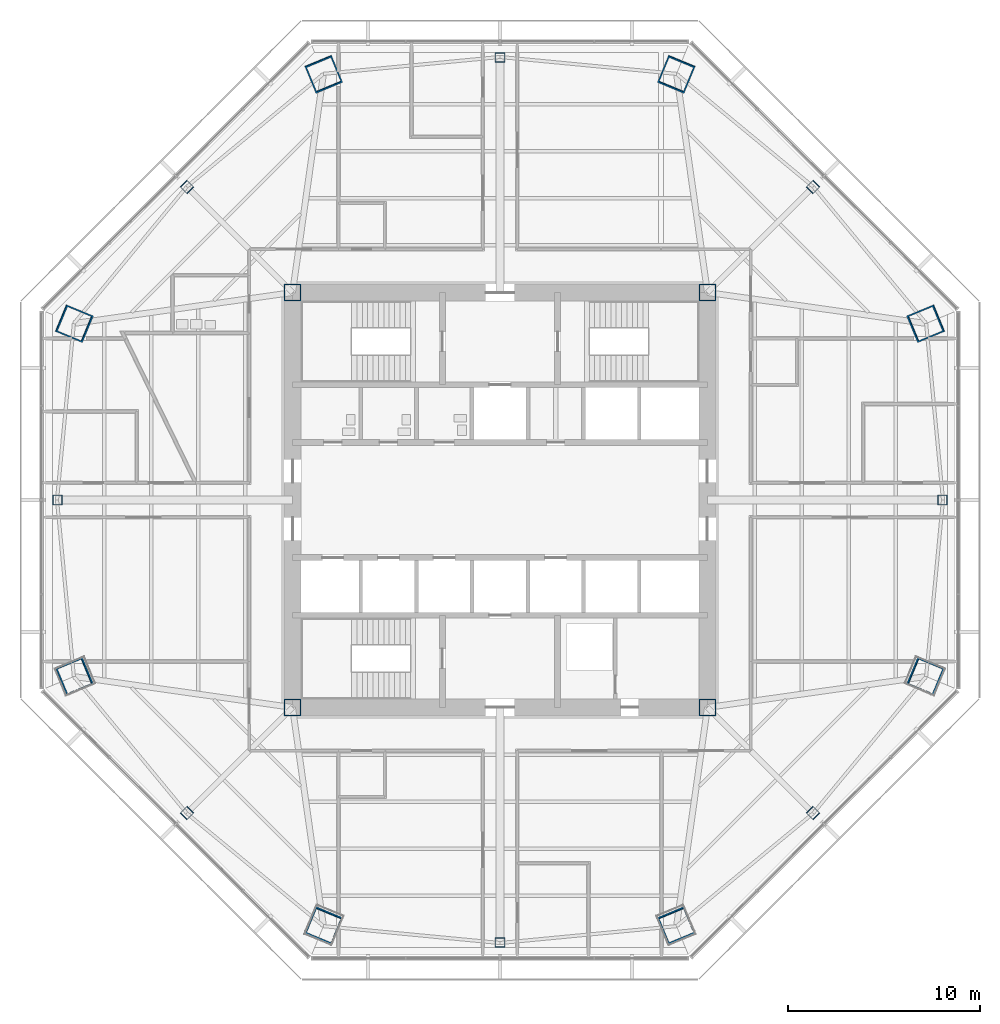
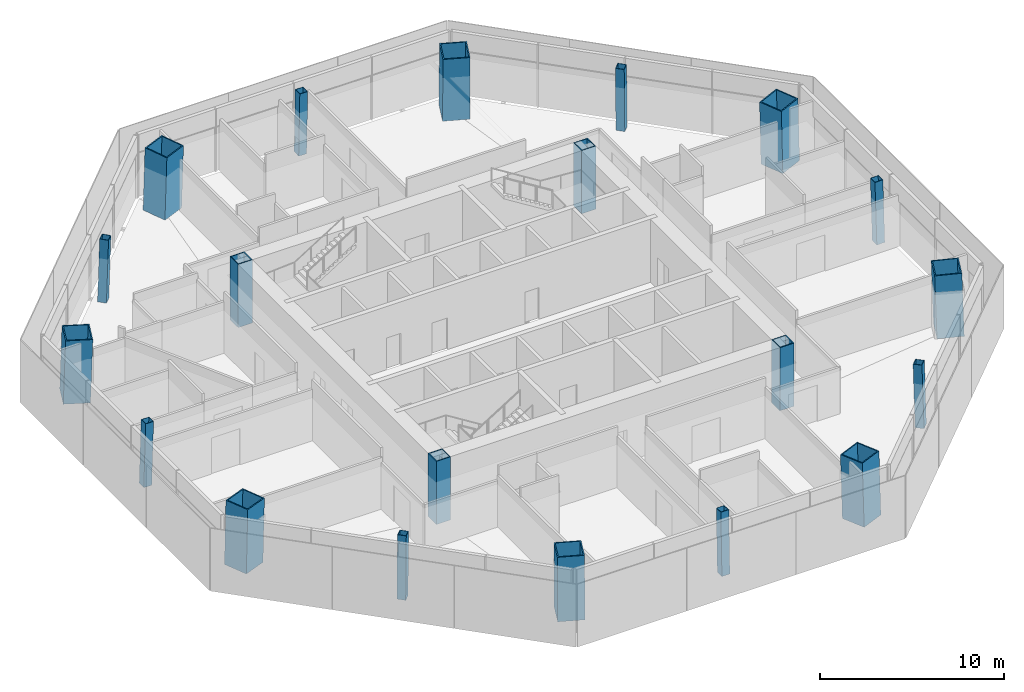
# One storey, part 1 of 14: 20 columns.
"""IFC4 building model written with IfcOpenShell, lengths in metres."""

from ifc_helpers import new_model, si_unit, direction, frame, origin, origin_2d, place, context, subcontext, project, spatial, hollow_rectangle, extrude, material, material_profile, profile_set, type_object, element, save


model = new_model("IFC4")

# Units and contexts
model_context = context("Model", 3, precision=1e-05, world=origin(), true_north=direction((0.0, 1.0)))
body_context = subcontext(model_context, "Body", "Model", "MODEL_VIEW")
ifc_project = project(units=[si_unit("LENGTHUNIT", "METRE"), si_unit("AREAUNIT", "SQUARE_METRE"), si_unit("VOLUMEUNIT", "CUBIC_METRE"), si_unit("PLANEANGLEUNIT", "RADIAN"), si_unit("MASSUNIT", "GRAM", prefix="KILO")], contexts=[model_context])

# Site, building, storey
site_placement = place(None, origin())
site = spatial("IfcSite", under=ifc_project, at=site_placement, CompositionType="ELEMENT")
building_placement = place(site_placement, origin())
building = spatial("IfcBuilding", under=site, at=building_placement, Name="Mashrafa Tower", CompositionType="ELEMENT")
storey_placement = place(building_placement, frame((0.0, 0.0, 147.0)))
storey = spatial("IfcBuildingStorey", under=building, at=storey_placement, Name="L33", CompositionType="ELEMENT", Elevation=147.0)

# Columns
ifc_material_1 = material(Name="Steel ASTM A572 Gr 50", Category="steel")
ifc_material_profile_1 = material_profile(ifc_material_1, hollow_rectangle(XDim=0.89990234375, YDim=0.89990234375, WallThickness=0.06005859375, at=origin_2d()), Name="BOX900X900X60")
ifc_profile_set_1 = profile_set([ifc_material_profile_1], Name="Steel ASTM A572 Gr 50")
column_type_1 = type_object("IfcColumnType", Name="Core corner column BOX900X900X60", PredefinedType="COLUMN", material=ifc_profile_set_1)
for number, where, z_axis, x_axis, name in (
    (1, (10.800048828125, 10.800048828125, 0.0), (0.0, 0.0, 1.0), (1.0, 0.0, 0.0), "Core corner column CC-NE L33"),
    (2, (-10.800048828125, 10.800048828125, 0.0), (0.0, 0.0, 1.0), (1.0, 0.0, 0.0), "Core corner column CC-NW L33"),
    (3, (-10.800048828125, -10.800048828125, 0.0), (0.0, 0.0, 1.0), (1.0, 0.0, 0.0), "Core corner column CC-SW L33"),
    (4, (10.800048828125, -10.800048828125, 0.0), (0.0, 0.0, 1.0), (1.0, 0.0, 0.0), "Core corner column CC-SE L33"),
):
    element("IfcColumn", number, at=place(storey_placement, frame(where, z_axis=z_axis, x_axis=x_axis)), inside=storey, type_object=column_type_1, Name=name, PredefinedType="COLUMN", context=body_context, shape_type="SweptSolid", body=[
        extrude(hollow_rectangle(XDim=0.89990234375, YDim=0.89990234375, WallThickness=0.06005859375, at=origin_2d()), origin(), (0.0, 0.0, 1.0), 4.199951171875),
    ])
ifc_material_2 = material(Name="Steel ASTM A572 Gr 50", Category="steel")
ifc_material_profile_2 = material_profile(ifc_material_2, hollow_rectangle(XDim=1.5, YDim=1.5, WallThickness=0.070068359375, at=origin_2d()), Name="BOX1500X1500X70")
ifc_profile_set_2 = profile_set([ifc_material_profile_2], Name="Steel ASTM A572 Gr 50")
column_type_2 = type_object("IfcColumnType", Name="Mega column CFST BOX1500X1500X70", PredefinedType="COLUMN", material=ifc_profile_set_2)
for number, where, z_axis, x_axis, name in (
    (5, (22.177978515625, 9.1865234375, 0.0), (-0.028237674468, -0.01173664659, 0.999532333078), (0.38380575713, -0.923413851312, 0.0), "Mega column MC1 L33"),
    (6, (9.1865234375, 22.177978515625, 0.0), (-0.01173664659, -0.028237674468, 0.999532333078), (0.923413851312, -0.38380575713, 0.0), "Mega column MC2 L33"),
    (7, (-9.1865234375, 22.177978515625, 0.0), (0.01173664659, -0.028237674468, 0.999532333078), (0.923413851312, 0.38380575713, 0.0), "Mega column MC3 L33"),
    (8, (-22.177978515625, 9.1865234375, 0.0), (0.028237674468, -0.01173664659, 0.999532333078), (0.38380575713, 0.923413851312, 0.0), "Mega column MC4 L33"),
    (9, (-22.177978515625, -9.1865234375, 0.0), (0.028237674468, 0.01173664659, 0.999532333078), (-0.38380575713, 0.923413851312, 0.0), "Mega column MC5 L33"),
    (10, (-9.1865234375, -22.177978515625, 0.0), (0.01173664659, 0.028237674468, 0.999532333078), (-0.923413851312, 0.38380575713, 0.0), "Mega column MC6 L33"),
    (11, (9.1865234375, -22.177978515625, 0.0), (-0.01173664659, 0.028237674468, 0.999532333078), (-0.923413851312, -0.38380575713, 0.0), "Mega column MC7 L33"),
    (12, (22.177978515625, -9.1865234375, 0.0), (-0.028237674468, 0.01173664659, 0.999532333078), (-0.38380575713, -0.923413851312, 0.0), "Mega column MC8 L33"),
):
    element("IfcColumn", number, at=place(storey_placement, frame(where, z_axis=z_axis, x_axis=x_axis)), inside=storey, type_object=column_type_2, Name=name, PredefinedType="COLUMN", context=body_context, shape_type="SweptSolid", body=[
        extrude(hollow_rectangle(XDim=1.5, YDim=1.5, WallThickness=0.070068359375, at=origin_2d()), origin(), (0.0, 0.0, 1.0), 4.201904296875),
    ])
ifc_material_3 = material(Name="Steel ASTM A572 Gr 50", Category="steel")
ifc_material_profile_3 = material_profile(ifc_material_3, hollow_rectangle(XDim=0.5, YDim=0.5, WallThickness=0.02490234375, at=origin_2d()), Name="BOX500X500X25")
ifc_profile_set_3 = profile_set([ifc_material_profile_3], Name="Steel ASTM A572 Gr 50")
column_type_3 = type_object("IfcColumnType", Name="Secondary column BOX500X500X25", PredefinedType="COLUMN", material=ifc_profile_set_3)
for number, where, z_axis, x_axis, name in (
    (13, (23.056396484375, 0.0, 0.0), (-0.028297679255, 0.0, 0.99959954049), (0.0, -1.0, 0.0), "Secondary column SC1 L33"),
    (14, (16.30322265625, 16.30322265625, 0.0), (-0.019988521213, -0.019988521213, 0.999600379171), (0.707106781187, -0.707106781187, 0.0), "Secondary column SC2 L33"),
    (15, (0.0, 23.056396484375, 0.0), (0.0, -0.028297679255, 0.99959954049), (1.0, 0.0, 0.0), "Secondary column SC3 L33"),
    (16, (-16.30322265625, 16.30322265625, 0.0), (0.019988521213, -0.019988521213, 0.999600379171), (0.707106781187, 0.707106781187, 0.0), "Secondary column SC4 L33"),
    (17, (-23.056396484375, 0.0, 0.0), (0.028297679255, 0.0, 0.99959954049), (0.0, 1.0, 0.0), "Secondary column SC5 L33"),
    (18, (-16.30322265625, -16.30322265625, 0.0), (0.019988521213, 0.019988521213, 0.999600379171), (-0.707106781187, 0.707106781187, 0.0), "Secondary column SC6 L33"),
    (19, (0.0, -23.056396484375, 0.0), (0.0, 0.028297679255, 0.99959954049), (-1.0, 0.0, 0.0), "Secondary column SC7 L33"),
    (20, (16.30322265625, -16.30322265625, 0.0), (-0.019988521213, 0.019988521213, 0.999600379171), (-0.707106781187, -0.707106781187, 0.0), "Secondary column SC8 L33"),
):
    element("IfcColumn", number, at=place(storey_placement, frame(where, z_axis=z_axis, x_axis=x_axis)), inside=storey, type_object=column_type_3, Name=name, PredefinedType="COLUMN", context=body_context, shape_type="SweptSolid", body=[
        extrude(hollow_rectangle(XDim=0.5, YDim=0.5, WallThickness=0.02490234375, at=origin_2d()), origin(), (0.0, 0.0, 1.0), 4.20166015625),
    ])

save(model, "model.ifc")
